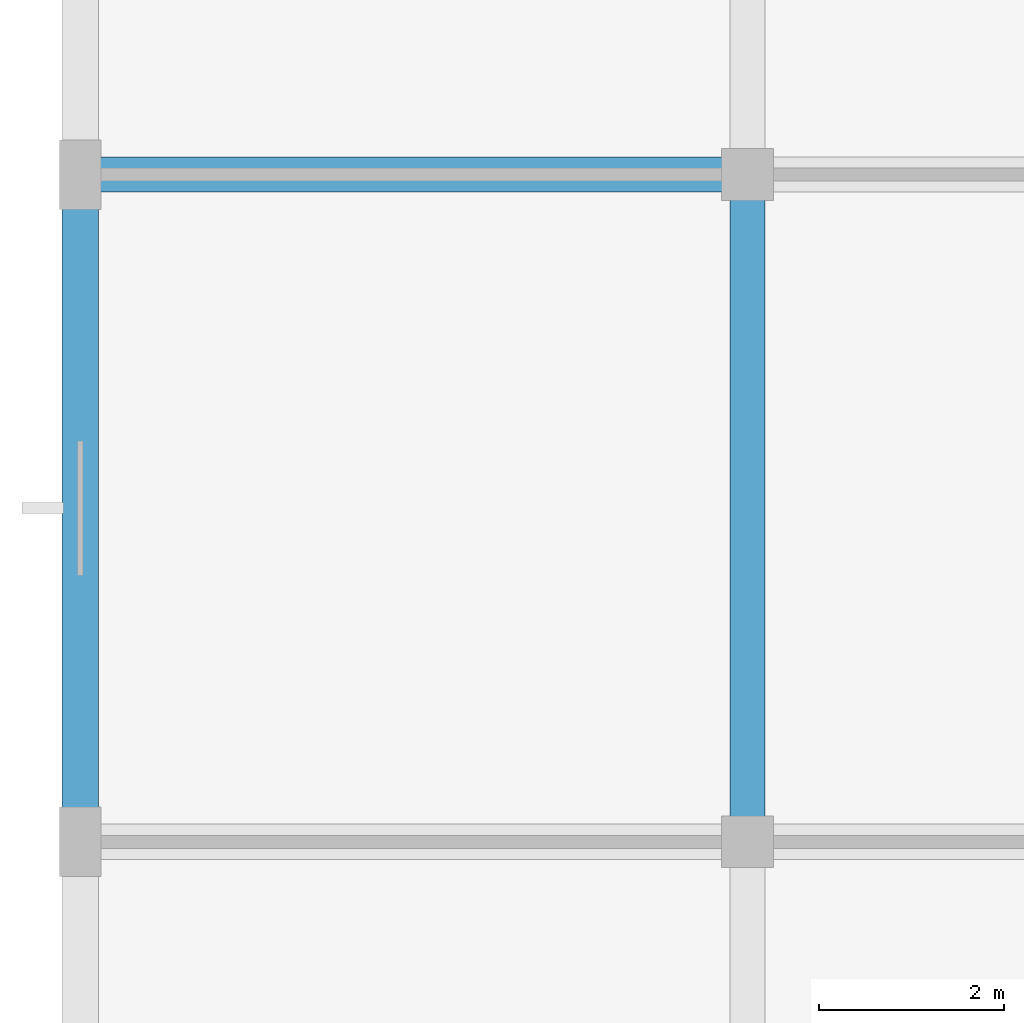
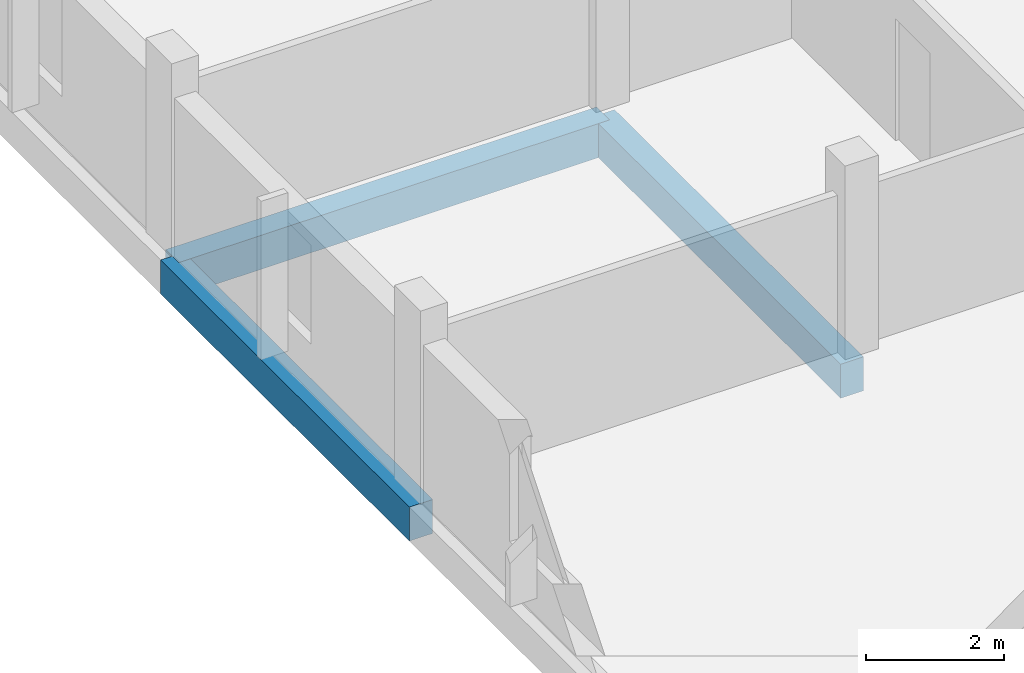
# One storey, part 4 of 84: 3 beams.
"""IFC4 building model written with IfcOpenShell, lengths in metres."""

from ifc_helpers import new_model, si_unit, direction, frame, origin, origin_2d, place, context, subcontext, project, spatial, rectangle, extrude, material, material_profile, profile_set, type_object, element, save


model = new_model("IFC4")

# Units and contexts
model_context = context("Model", 3, precision=1e-05, world=origin(), true_north=direction((0.0, 1.0)))
body_context = subcontext(model_context, "Body", "Model", "MODEL_VIEW")
ifc_project = project(units=[si_unit("LENGTHUNIT", "METRE"), si_unit("AREAUNIT", "SQUARE_METRE"), si_unit("VOLUMEUNIT", "CUBIC_METRE"), si_unit("PLANEANGLEUNIT", "RADIAN"), si_unit("MASSUNIT", "GRAM", prefix="KILO")], contexts=[model_context])

# Site, building, storey
site_placement = place(None, origin())
site = spatial("IfcSite", under=ifc_project, at=site_placement, CompositionType="ELEMENT")
building_placement = place(site_placement, origin())
building = spatial("IfcBuilding", under=site, at=building_placement, Name="Zornivar Specialist Clinic", CompositionType="ELEMENT")
storey_placement = place(building_placement, frame((0.0, 0.0, 12.300048828125)))
storey = spatial("IfcBuildingStorey", under=building, at=storey_placement, Name="L03", CompositionType="ELEMENT", Elevation=12.300048828125)

# Beams
ifc_material_1 = material(Name="Concrete C30/37", Category="concrete")
ifc_material_profile_1 = material_profile(ifc_material_1, rectangle(XDim=0.3798828125, YDim=0.60009765625, at=origin_2d()), Name="RC 380x600")
ifc_profile_set_1 = profile_set([ifc_material_profile_1], Name="Concrete C30/37")
beam_type_1 = type_object("IfcBeamType", Name="BM-RC-380x600", PredefinedType="BEAM", material=ifc_profile_set_1)
beam_1_placement = place(storey_placement, frame((0.0, 21.60009765625, -0.580078125), z_axis=(1.0, 0.0, 0.0), x_axis=(0.0, 1.0, 0.0)))
element("IfcBeam", 1, at=beam_1_placement, inside=storey, type_object=beam_type_1, Name="bm:V2:L03:x:216:0", PredefinedType="BEAM", context=body_context, shape_type="SweptSolid", body=[
    extrude(rectangle(XDim=0.3798828125, YDim=0.60009765625, at=origin_2d()), origin(), (0.0, 0.0, 1.0), 7.199951171875),
])
beam_2_placement = place(storey_placement, frame((7.199951171875, 14.39990234375, -0.580078125), z_axis=(0.0, 1.0, 0.0), x_axis=(-1.0, 0.0, 0.0)))
element("IfcBeam", 2, at=beam_2_placement, inside=storey, type_object=beam_type_1, Name="bm:V2:L03:y:72:2", PredefinedType="BEAM", context=body_context, shape_type="SweptSolid", body=[
    extrude(rectangle(XDim=0.3798828125, YDim=0.60009765625, at=origin_2d()), origin(), (0.0, 0.0, 1.0), 7.2001953125),
])
ifc_material_2 = material(Name="Concrete C30/37", Category="concrete")
ifc_material_profile_2 = material_profile(ifc_material_2, rectangle(XDim=0.389892578125, YDim=0.60009765625, at=origin_2d()), Name="RC 390x600")
ifc_profile_set_2 = profile_set([ifc_material_profile_2], Name="Concrete C30/37")
beam_type_2 = type_object("IfcBeamType", Name="BM-RC-SPANDREL-390x600", PredefinedType="SPANDREL", material=ifc_profile_set_2)
beam_3_placement = place(storey_placement, frame((0.0, 14.39990234375, -0.580078125), z_axis=(0.0, 1.0, 0.0), x_axis=(-1.0, 0.0, 0.0)))
element("IfcBeam", 3, at=beam_3_placement, inside=storey, type_object=beam_type_2, Name="bm:V2:L03:y:0:2", PredefinedType="SPANDREL", context=body_context, shape_type="SweptSolid", body=[
    extrude(rectangle(XDim=0.389892578125, YDim=0.60009765625, at=origin_2d()), origin(), (0.0, 0.0, 1.0), 7.2001953125),
])

save(model, "model.ifc")
